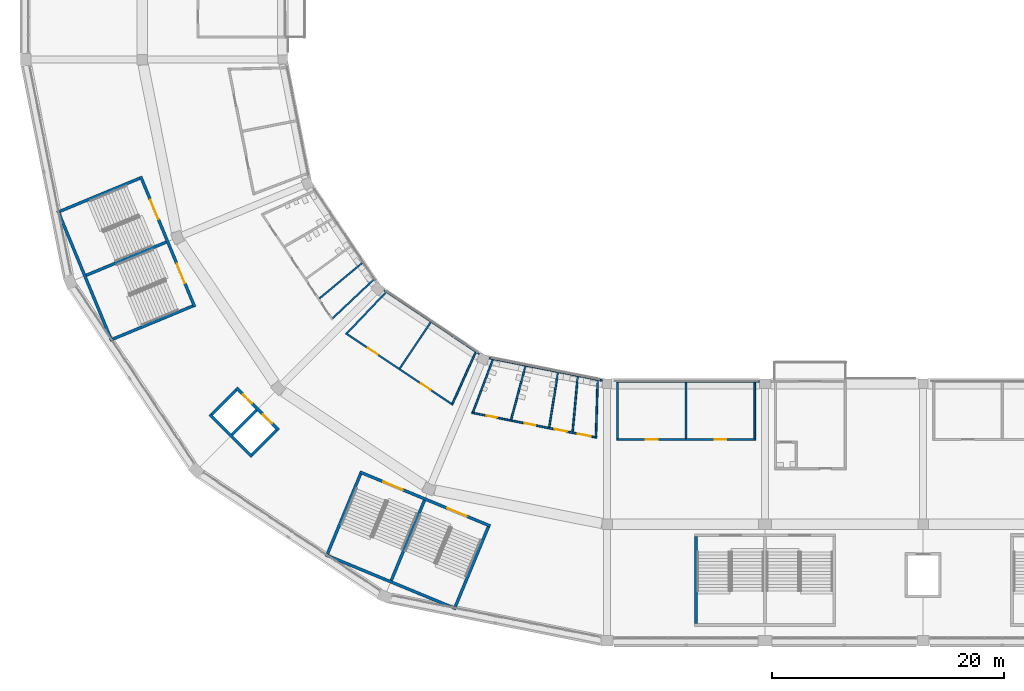
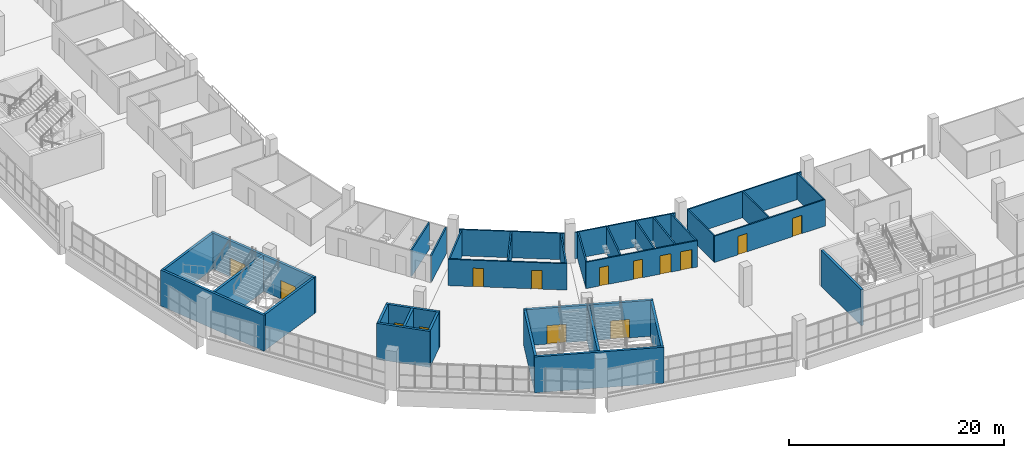
# One storey, part 73 of 199: 35 walls, 14 doors, 14 openings.
"""IFC4 building model written with IfcOpenShell, lengths in metres."""

from ifc_helpers import new_model, si_unit, direction, frame, frame_2d, origin, place, context, subcontext, project, spatial, rectangle, extrude, material, layer, layer_set, type_object, element, fill, save


model = new_model("IFC4")

# Units and contexts
model_context = context("Model", 3, precision=1e-05, world=origin(), true_north=direction((0.0, 1.0)))
body_context = subcontext(model_context, "Body", "Model", "MODEL_VIEW")
ifc_project = project(units=[si_unit("LENGTHUNIT", "METRE"), si_unit("AREAUNIT", "SQUARE_METRE"), si_unit("VOLUMEUNIT", "CUBIC_METRE"), si_unit("PLANEANGLEUNIT", "RADIAN"), si_unit("MASSUNIT", "GRAM", prefix="KILO")], contexts=[model_context])

# Site, building, storey
site_placement = place(None, origin())
site = spatial("IfcSite", under=ifc_project, at=site_placement, CompositionType="ELEMENT")
building_placement = place(site_placement, origin())
building = spatial("IfcBuilding", under=site, at=building_placement, Name="Ogive Plaza Stadium", CompositionType="ELEMENT")
storey_placement = place(building_placement, frame((0.0, 0.0, 9.0)))
storey = spatial("IfcBuildingStorey", under=building, at=storey_placement, Name="L02", CompositionType="ELEMENT", Elevation=9.0)

# Wall
ifc_material_1 = material(Name="Masonry blockwork", Category="masonry")
ifc_layer_1 = layer(ifc_material_1, 0.14990234375)
ifc_layer_set_1 = layer_set([ifc_layer_1], Name="Blockwork wall 150")
wall_type_1 = type_object("IfcWallType", Name="Blockwork wall 150", PredefinedType="SOLIDWALL", material=ifc_layer_set_1)
wall_1_placement = place(storey_placement, frame((-20.89990234375, -80.199951171875, 0.0), z_axis=(0.0, 0.0, 1.0), x_axis=(-1.0, 0.0, 0.0)))
element("IfcWall", 1, at=wall_1_placement, inside=storey, type_object=wall_type_1, Name="Wall L02 B16", PredefinedType="SOLIDWALL", context=body_context, shape_type="SweptSolid", body=[
    extrude(rectangle(XDim=12.275146484375, YDim=0.14990234375, at=frame_2d((6.1376953125, 0.0))), origin(), (0.0, 0.0, 1.0), 3.0),
])

# Wall, openings, doors
wall_2_placement = place(storey_placement, frame((-21.22509765625, -85.199951171875, 0.0), z_axis=(0.0, 0.0, 1.0), x_axis=(-1.0, 0.0, 0.0)))
wall_2 = element("IfcWall", 2, at=wall_2_placement, inside=storey, type_object=wall_type_1, Name="Wall L02 B16", PredefinedType="SOLIDWALL", context=body_context, shape_type="SweptSolid", body=[
    extrude(rectangle(XDim=11.949951171875, YDim=0.14990234375, at=frame_2d((5.97509765625, 0.0))), origin(), (0.0, 0.0, 1.0), 3.0),
])
opening_1_placement = place(wall_2_placement, frame((2.52490234375, 0.0, 0.0)))
opening_1 = element("IfcOpeningElement", 3, at=opening_1_placement, cuts=wall_2, Name="Opening D0665", PredefinedType="OPENING", context=body_context, shape_type="SweptSolid", body=[
    extrude(rectangle(XDim=1.0, YDim=2.10009765625, at=frame_2d((0.5, 1.050048828125))), frame((0.0, 0.074951171875, 0.0), z_axis=(0.0, -1.0, 0.0), x_axis=(1.0, 0.0, 0.0)), (0.0, 0.0, 1.0), 0.14990234375),
])
opening_2_placement = place(wall_2_placement, frame((8.425048828125, 0.0, 0.0)))
opening_2 = element("IfcOpeningElement", 4, at=opening_2_placement, cuts=wall_2, Name="Opening D0666", PredefinedType="OPENING", context=body_context, shape_type="SweptSolid", body=[
    extrude(rectangle(XDim=1.0, YDim=2.10009765625, at=frame_2d((0.5, 1.050048828125))), frame((0.0, 0.074951171875, 0.0), z_axis=(0.0, -1.0, 0.0), x_axis=(1.0, 0.0, 0.0)), (0.0, 0.0, 1.0), 0.14990234375),
])
ifc_material_2 = material(Name="Steel ASTM A572 Grade 50", Category="steel")
door_type_1 = type_object("IfcDoorType", Name="Fire door FD60 1000 x 2100", OperationType="SINGLE_SWING_LEFT", PredefinedType="DOOR", material=ifc_material_2)
door_1_placement = place(opening_1_placement, origin())
door_1 = element("IfcDoor", 5, at=door_1_placement, inside=storey, type_object=door_type_1, Name="Hospitality Pantry B16 door", OperationType="SINGLE_SWING_RIGHT", OverallHeight=2.10009765625, OverallWidth=1.0, PredefinedType="DOOR", context=body_context, shape_type="SweptSolid", body=[
    extrude(rectangle(XDim=1.0, YDim=2.10009765625, at=frame_2d((0.5, 1.050048828125))), frame((0.0, 0.02490234375, 0.0), z_axis=(0.0, -1.0, 0.0), x_axis=(1.0, 0.0, 0.0)), (0.0, 0.0, 1.0), 0.050048828125),
])
fill(opening_1, door_1)
door_2_placement = place(opening_2_placement, origin())
door_2 = element("IfcDoor", 6, at=door_2_placement, inside=storey, type_object=door_type_1, Name="Hospitality Store B16 door", OperationType="SINGLE_SWING_LEFT", OverallHeight=2.10009765625, OverallWidth=1.0, PredefinedType="DOOR", context=body_context, shape_type="SweptSolid", body=[
    extrude(rectangle(XDim=1.0, YDim=2.10009765625, at=frame_2d((0.5, 1.050048828125))), frame((0.0, 0.02490234375, 0.0), z_axis=(0.0, -1.0, 0.0), x_axis=(1.0, 0.0, 0.0)), (0.0, 0.0, 1.0), 0.050048828125),
])
fill(opening_2, door_2)

# Walls
for number, where, z_axis, x_axis, name in (
    (7, (-21.300048828125, -80.27490234375, 0.0), (0.0, 0.0, 1.0), (0.0, -1.0, 0.0), "Wall L02 B16"),
    (8, (-27.199951171875, -80.27490234375, 0.0), (0.0, 0.0, 1.0), (0.0, -1.0, 0.0), "Wall L02 B16"),
    (9, (-33.10009765625, -80.27490234375, 0.0), (0.0, 0.0, 1.0), (0.0, -1.0, 0.0), "Wall L02 B16"),
):
    element("IfcWall", number, at=place(storey_placement, frame(where, z_axis=z_axis, x_axis=x_axis)), inside=storey, type_object=wall_type_1, Name=name, PredefinedType="SOLIDWALL", context=body_context, shape_type="SweptSolid", body=[
        extrude(rectangle(XDim=4.85009765625, YDim=0.14990234375, at=frame_2d((2.425048828125, 0.0))), origin(), (0.0, 0.0, 1.0), 3.0),
    ])
wall_3_placement = place(storey_placement, frame((-44.98193359375, -77.836669921875, 0.0), z_axis=(0.0, 0.0, 1.0), x_axis=(-0.831461186136, 0.555582843463, 0.0)))
element("IfcWall", 10, at=wall_3_placement, inside=storey, type_object=wall_type_1, Name="Wall L02 B18", PredefinedType="SOLIDWALL", context=body_context, shape_type="SweptSolid", body=[
    extrude(rectangle(XDim=9.890380859375, YDim=0.14990234375, at=frame_2d((4.9453125, 0.0))), origin(), (0.0, 0.0, 1.0), 3.0),
])

# Wall, openings, doors
wall_4_placement = place(storey_placement, frame((-47.256591796875, -82.214599609375, 0.0), z_axis=(0.0, 0.0, 1.0), x_axis=(-0.831471162003, 0.555567913722, 0.0)))
wall_4 = element("IfcWall", 11, at=wall_4_placement, inside=storey, type_object=wall_type_1, Name="Wall L02 B18", PredefinedType="SOLIDWALL", context=body_context, shape_type="SweptSolid", body=[
    extrude(rectangle(XDim=11.09912109375, YDim=0.14990234375, at=frame_2d((5.549560546875, 0.0))), origin(), (0.0, 0.0, 1.0), 3.0),
])
opening_3_placement = place(wall_4_placement, frame((2.3154296875, 0.0, 0.0)))
opening_3 = element("IfcOpeningElement", 12, at=opening_3_placement, cuts=wall_4, Name="Opening D0671", PredefinedType="OPENING", context=body_context, shape_type="SweptSolid", body=[
    extrude(rectangle(XDim=1.0, YDim=2.10009765625, at=frame_2d((0.5, 1.050048828125))), frame((0.0, 0.074951171875, 0.0), z_axis=(0.0, -1.0, 0.0), x_axis=(1.0, 0.0, 0.0)), (0.0, 0.0, 1.0), 0.14990234375),
])
opening_4_placement = place(wall_4_placement, frame((7.78369140625, 0.0, 0.0)))
opening_4 = element("IfcOpeningElement", 13, at=opening_4_placement, cuts=wall_4, Name="Opening D0672", PredefinedType="OPENING", context=body_context, shape_type="SweptSolid", body=[
    extrude(rectangle(XDim=1.0, YDim=2.10009765625, at=frame_2d((0.5, 1.050048828125))), frame((0.0, 0.074951171875, 0.0), z_axis=(0.0, -1.0, 0.0), x_axis=(1.0, 0.0, 0.0)), (0.0, 0.0, 1.0), 0.14990234375),
])
door_3_placement = place(opening_3_placement, origin())
door_3 = element("IfcDoor", 14, at=door_3_placement, inside=storey, type_object=door_type_1, Name="Hospitality Pantry B18 door", OperationType="SINGLE_SWING_LEFT", OverallHeight=2.10009765625, OverallWidth=1.0, PredefinedType="DOOR", context=body_context, shape_type="SweptSolid", body=[
    extrude(rectangle(XDim=1.0, YDim=2.10009765625, at=frame_2d((0.5, 1.050048828125))), frame((0.0, 0.02490234375, 0.0), z_axis=(0.0, -1.0, 0.0), x_axis=(1.0, 0.0, 0.0)), (0.0, 0.0, 1.0), 0.050048828125),
])
fill(opening_3, door_3)
door_4_placement = place(opening_4_placement, origin())
door_4 = element("IfcDoor", 15, at=door_4_placement, inside=storey, type_object=door_type_1, Name="Hospitality Store B18 door", OperationType="SINGLE_SWING_RIGHT", OverallHeight=2.10009765625, OverallWidth=1.0, PredefinedType="DOOR", context=body_context, shape_type="SweptSolid", body=[
    extrude(rectangle(XDim=1.0, YDim=2.10009765625, at=frame_2d((0.5, 1.050048828125))), frame((0.0, 0.02490234375, 0.0), z_axis=(0.0, -1.0, 0.0), x_axis=(1.0, 0.0, 0.0)), (0.0, 0.0, 1.0), 0.050048828125),
])
fill(opening_4, door_4)

# Walls
wall_5_placement = place(storey_placement, frame((-45.3173828125, -77.700927734375, 0.0), z_axis=(0.0, 0.0, 1.0), x_axis=(-0.409657452305, -0.912239426779, 0.0)))
element("IfcWall", 16, at=wall_5_placement, inside=storey, type_object=wall_type_1, Name="Wall L02 B18", PredefinedType="SOLIDWALL", context=body_context, shape_type="SweptSolid", body=[
    extrude(rectangle(XDim=4.82373046875, YDim=0.14990234375, at=frame_2d((2.411865234375, 0.0))), origin(), (0.0, 0.0, 1.0), 3.0),
])
wall_6_placement = place(storey_placement, frame((-49.17919921875, -75.120361328125, 0.0), z_axis=(0.0, 0.0, 1.0), x_axis=(-0.557220399255, -0.830364634756, 0.0)))
element("IfcWall", 17, at=wall_6_placement, inside=storey, type_object=wall_type_1, Name="Wall L02 B18", PredefinedType="SOLIDWALL", context=body_context, shape_type="SweptSolid", body=[
    extrude(rectangle(XDim=4.7568359375, YDim=0.14990234375, at=frame_2d((2.37841796875, 0.0))), origin(), (0.0, 0.0, 1.0), 3.0),
])
wall_7_placement = place(storey_placement, frame((-53.041259765625, -72.5400390625, 0.0), z_axis=(0.0, 0.0, 1.0), x_axis=(-0.688819908774, -0.724932502566, 0.0)))
element("IfcWall", 18, at=wall_7_placement, inside=storey, type_object=wall_type_1, Name="Wall L02 B18", PredefinedType="SOLIDWALL", context=body_context, shape_type="SweptSolid", body=[
    extrude(rectangle(XDim=4.826904296875, YDim=0.14990234375, at=frame_2d((2.41357421875, 0.0))), origin(), (0.0, 0.0, 1.0), 3.0),
])
ifc_material_3 = material(Name="Concrete C40/50", Category="concrete")
ifc_layer_2 = layer(ifc_material_3, 0.25)
ifc_layer_set_2 = layer_set([ifc_layer_2], Name="Concrete C40/50")
wall_type_2 = type_object("IfcWallType", Name="Core wall 250", PredefinedType="SHEAR", material=ifc_layer_set_2)
wall_8_placement = place(storey_placement, frame((-26.35009765625, -93.550048828125, 0.0), z_axis=(0.0, 0.0, 1.0), x_axis=(0.0, -1.0, 0.0)))
element("IfcWall", 19, at=wall_8_placement, inside=storey, type_object=wall_type_2, Name="Stair core R16 side wall", PredefinedType="SHEAR", context=body_context, shape_type="SweptSolid", body=[
    extrude(rectangle(XDim=7.4599609375, YDim=0.25, at=frame_2d((3.72998046875, 0.0))), origin(), (0.0, 0.0, 1.0), 4.090087890625),
])

# Wall, openings, doors
wall_9_placement = place(storey_placement, frame((-55.27392578125, -87.98486328125, 0.0), z_axis=(0.0, 0.0, 1.0), x_axis=(0.923877480578, -0.382688386133, 0.0)))
wall_9 = element("IfcWall", 20, at=wall_9_placement, inside=storey, type_object=wall_type_2, Name="Stair core R18 inner wall", PredefinedType="SHEAR", context=body_context, shape_type="SweptSolid", body=[
    extrude(rectangle(XDim=12.14990234375, YDim=0.25, at=frame_2d((6.074951171875, 0.0))), origin(), (0.0, 0.0, 1.0), 4.090087890625),
])
opening_5_placement = place(wall_9_placement, frame((2.199951171875, 0.0, 0.0)))
opening_5 = element("IfcOpeningElement", 21, at=opening_5_placement, cuts=wall_9, Name="Opening D0149", PredefinedType="OPENING", context=body_context, shape_type="SweptSolid", body=[
    extrude(rectangle(XDim=1.800048828125, YDim=2.10009765625, at=frame_2d((0.89990234375, 1.050048828125))), frame((0.0, 0.125, 0.0), z_axis=(0.0, -1.0, 0.0), x_axis=(1.0, 0.0, 0.0)), (0.0, 0.0, 1.0), 0.25),
])
opening_6_placement = place(wall_9_placement, frame((8.14990234375, 0.0, 0.0)))
opening_6 = element("IfcOpeningElement", 22, at=opening_6_placement, cuts=wall_9, Name="Opening D0150", PredefinedType="OPENING", context=body_context, shape_type="SweptSolid", body=[
    extrude(rectangle(XDim=1.800048828125, YDim=2.10009765625, at=frame_2d((0.89990234375, 1.050048828125))), frame((0.0, 0.125, 0.0), z_axis=(0.0, -1.0, 0.0), x_axis=(1.0, 0.0, 0.0)), (0.0, 0.0, 1.0), 0.25),
])
ifc_material_4 = material(Name="Steel ASTM A572 Grade 50", Category="steel")
door_type_2 = type_object("IfcDoorType", Name="Fire door FD90 pair 1800 x 2100", OperationType="DOUBLE_DOOR_SINGLE_SWING", PredefinedType="DOOR", material=ifc_material_4)
door_5_placement = place(opening_5_placement, origin())
door_5 = element("IfcDoor", 23, at=door_5_placement, inside=storey, type_object=door_type_2, Name="Exit stair R18A door L02", OperationType="DOUBLE_DOOR_SINGLE_SWING", OverallHeight=2.10009765625, OverallWidth=1.800048828125, PredefinedType="DOOR", context=body_context, shape_type="SweptSolid", body=[
    extrude(rectangle(XDim=1.800048828125, YDim=2.10009765625, at=frame_2d((0.89990234375, 1.050048828125))), frame((0.0, 0.02490234375, 0.0), z_axis=(0.0, -1.0, 0.0), x_axis=(1.0, 0.0, 0.0)), (0.0, 0.0, 1.0), 0.050048828125),
])
fill(opening_5, door_5)
door_6_placement = place(opening_6_placement, origin())
door_6 = element("IfcDoor", 24, at=door_6_placement, inside=storey, type_object=door_type_2, Name="Exit stair R18B door L02", OperationType="DOUBLE_DOOR_SINGLE_SWING", OverallHeight=2.10009765625, OverallWidth=1.800048828125, PredefinedType="DOOR", context=body_context, shape_type="SweptSolid", body=[
    extrude(rectangle(XDim=1.800048828125, YDim=2.10009765625, at=frame_2d((0.89990234375, 1.050048828125))), frame((0.0, 0.02490234375, 0.0), z_axis=(0.0, -1.0, 0.0), x_axis=(1.0, 0.0, 0.0)), (0.0, 0.0, 1.0), 0.050048828125),
])
fill(opening_6, door_6)

# Walls
wall_10_placement = place(storey_placement, frame((-58.224365234375, -95.108154296875, 0.0), z_axis=(0.0, 0.0, 1.0), x_axis=(0.923884584817, -0.382671234792, 0.0)))
element("IfcWall", 25, at=wall_10_placement, inside=storey, type_object=wall_type_2, Name="Stair core R18 outer wall", PredefinedType="SHEAR", context=body_context, shape_type="SweptSolid", body=[
    extrude(rectangle(XDim=12.14990234375, YDim=0.25, at=frame_2d((6.074951171875, 0.0))), origin(), (0.0, 0.0, 1.0), 4.090087890625),
])
for number, where, z_axis, x_axis, name in (
    (26, (-55.206298828125, -88.148193359375, 0.0), (0.0, 0.0, 1.0), (-0.382664910245, -0.923887204407, 0.0), "Stair core R18 side wall"),
    (27, (-44.212158203125, -92.7021484375, 0.0), (0.0, 0.0, 1.0), (-0.382664910245, -0.923887204407, 0.0), "Stair core R18 side wall"),
):
    element("IfcWall", number, at=place(storey_placement, frame(where, z_axis=z_axis, x_axis=x_axis)), inside=storey, type_object=wall_type_2, Name=name, PredefinedType="SHEAR", context=body_context, shape_type="SweptSolid", body=[
        extrude(rectangle(XDim=7.460205078125, YDim=0.25, at=frame_2d((3.72998046875, 0.0))), origin(), (0.0, 0.0, 1.0), 4.090087890625),
    ])
wall_11_placement = place(storey_placement, frame((-49.709228515625, -90.42529296875, 0.0), z_axis=(0.0, 0.0, 1.0), x_axis=(-0.382676480483, -0.923882412044, 0.0)))
element("IfcWall", 28, at=wall_11_placement, inside=storey, type_object=wall_type_2, Name="Stair core R18 centre wall", PredefinedType="SHEAR", context=body_context, shape_type="SweptSolid", body=[
    extrude(rectangle(XDim=7.4599609375, YDim=0.25, at=frame_2d((3.72998046875, 0.0))), origin(), (0.0, 0.0, 1.0), 4.090087890625),
])

# Wall, openings, doors
wall_12_placement = place(storey_placement, frame((-74.134521484375, -62.548828125, 0.0), z_axis=(0.0, 0.0, 1.0), x_axis=(0.382688386133, -0.923877480578, 0.0)))
wall_12 = element("IfcWall", 29, at=wall_12_placement, inside=storey, type_object=wall_type_2, Name="Stair core R20 inner wall", PredefinedType="SHEAR", context=body_context, shape_type="SweptSolid", body=[
    extrude(rectangle(XDim=12.14990234375, YDim=0.25, at=frame_2d((6.074951171875, 0.0))), origin(), (0.0, 0.0, 1.0), 4.090087890625),
])
opening_7_placement = place(wall_12_placement, frame((2.199951171875, 0.0, 0.0)))
opening_7 = element("IfcOpeningElement", 30, at=opening_7_placement, cuts=wall_12, Name="Opening D0161", PredefinedType="OPENING", context=body_context, shape_type="SweptSolid", body=[
    extrude(rectangle(XDim=1.800048828125, YDim=2.10009765625, at=frame_2d((0.89990234375, 1.050048828125))), frame((0.0, 0.125, 0.0), z_axis=(0.0, -1.0, 0.0), x_axis=(1.0, 0.0, 0.0)), (0.0, 0.0, 1.0), 0.25),
])
opening_8_placement = place(wall_12_placement, frame((8.14990234375, 0.0, 0.0)))
opening_8 = element("IfcOpeningElement", 31, at=opening_8_placement, cuts=wall_12, Name="Opening D0162", PredefinedType="OPENING", context=body_context, shape_type="SweptSolid", body=[
    extrude(rectangle(XDim=1.800048828125, YDim=2.10009765625, at=frame_2d((0.89990234375, 1.050048828125))), frame((0.0, 0.125, 0.0), z_axis=(0.0, -1.0, 0.0), x_axis=(1.0, 0.0, 0.0)), (0.0, 0.0, 1.0), 0.25),
])
door_7_placement = place(opening_7_placement, origin())
door_7 = element("IfcDoor", 32, at=door_7_placement, inside=storey, type_object=door_type_2, Name="Exit stair R20A door L02", OperationType="DOUBLE_DOOR_SINGLE_SWING", OverallHeight=2.10009765625, OverallWidth=1.800048828125, PredefinedType="DOOR", context=body_context, shape_type="SweptSolid", body=[
    extrude(rectangle(XDim=1.800048828125, YDim=2.10009765625, at=frame_2d((0.89990234375, 1.050048828125))), frame((0.0, 0.02490234375, 0.0), z_axis=(0.0, -1.0, 0.0), x_axis=(1.0, 0.0, 0.0)), (0.0, 0.0, 1.0), 0.050048828125),
])
fill(opening_7, door_7)
door_8_placement = place(opening_8_placement, origin())
door_8 = element("IfcDoor", 33, at=door_8_placement, inside=storey, type_object=door_type_2, Name="Exit stair R20B door L02", OperationType="DOUBLE_DOOR_SINGLE_SWING", OverallHeight=2.10009765625, OverallWidth=1.800048828125, PredefinedType="DOOR", context=body_context, shape_type="SweptSolid", body=[
    extrude(rectangle(XDim=1.800048828125, YDim=2.10009765625, at=frame_2d((0.89990234375, 1.050048828125))), frame((0.0, 0.02490234375, 0.0), z_axis=(0.0, -1.0, 0.0), x_axis=(1.0, 0.0, 0.0)), (0.0, 0.0, 1.0), 0.050048828125),
])
fill(opening_8, door_8)

# Walls
wall_13_placement = place(storey_placement, frame((-81.257568359375, -65.499267578125, 0.0), z_axis=(0.0, 0.0, 1.0), x_axis=(0.382671234792, -0.923884584817, 0.0)))
element("IfcWall", 34, at=wall_13_placement, inside=storey, type_object=wall_type_2, Name="Stair core R20 outer wall", PredefinedType="SHEAR", context=body_context, shape_type="SweptSolid", body=[
    extrude(rectangle(XDim=12.14990234375, YDim=0.25, at=frame_2d((6.074951171875, 0.0))), origin(), (0.0, 0.0, 1.0), 4.090087890625),
])
for number, where, z_axis, x_axis, name in (
    (35, (-74.2021484375, -62.712158203125, 0.0), (0.0, 0.0, 1.0), (-0.923887204407, -0.382664910245, 0.0), "Stair core R20 side wall"),
    (36, (-69.648193359375, -73.706298828125, 0.0), (0.0, 0.0, 1.0), (-0.923887204407, -0.382664910245, 0.0), "Stair core R20 side wall"),
):
    element("IfcWall", number, at=place(storey_placement, frame(where, z_axis=z_axis, x_axis=x_axis)), inside=storey, type_object=wall_type_2, Name=name, PredefinedType="SHEAR", context=body_context, shape_type="SweptSolid", body=[
        extrude(rectangle(XDim=7.460205078125, YDim=0.25, at=frame_2d((3.72998046875, 0.0))), origin(), (0.0, 0.0, 1.0), 4.090087890625),
    ])
wall_14_placement = place(storey_placement, frame((-71.92529296875, -68.209228515625, 0.0), z_axis=(0.0, 0.0, 1.0), x_axis=(-0.923882412044, -0.382676480483, 0.0)))
element("IfcWall", 37, at=wall_14_placement, inside=storey, type_object=wall_type_2, Name="Stair core R20 centre wall", PredefinedType="SHEAR", context=body_context, shape_type="SweptSolid", body=[
    extrude(rectangle(XDim=7.4599609375, YDim=0.25, at=frame_2d((3.72998046875, 0.0))), origin(), (0.0, 0.0, 1.0), 4.090087890625),
])

# Wall, openings, doors
wall_15_placement = place(storey_placement, frame((-65.890625, -80.7490234375, 0.0), z_axis=(0.0, 0.0, 1.0), x_axis=(0.707106781187, -0.707106781187, 0.0)))
wall_15 = element("IfcWall", 38, at=wall_15_placement, inside=storey, type_object=wall_type_2, Name="Lift core LP19 landing wall", PredefinedType="SHEAR", context=body_context, shape_type="SweptSolid", body=[
    extrude(rectangle(XDim=5.14990234375, YDim=0.25, at=frame_2d((2.574951171875, 0.0))), origin(), (0.0, 0.0, 1.0), 4.090087890625),
])
opening_9_placement = place(wall_15_placement, frame((0.800048828125, 0.0, 0.0)))
opening_9 = element("IfcOpeningElement", 39, at=opening_9_placement, cuts=wall_15, Name="Opening LD048", PredefinedType="OPENING", context=body_context, shape_type="SweptSolid", body=[
    extrude(rectangle(XDim=1.10009765625, YDim=2.10009765625, at=frame_2d((0.550048828125, 1.050048828125))), frame((0.0, 0.125, 0.0), z_axis=(0.0, -1.0, 0.0), x_axis=(1.0, 0.0, 0.0)), (0.0, 0.0, 1.0), 0.25),
])
opening_10_placement = place(wall_15_placement, frame((3.25, 0.0, 0.0)))
opening_10 = element("IfcOpeningElement", 40, at=opening_10_placement, cuts=wall_15, Name="Opening LD049", PredefinedType="OPENING", context=body_context, shape_type="SweptSolid", body=[
    extrude(rectangle(XDim=1.10009765625, YDim=2.10009765625, at=frame_2d((0.550048828125, 1.050048828125))), frame((0.0, 0.125, 0.0), z_axis=(0.0, -1.0, 0.0), x_axis=(1.0, 0.0, 0.0)), (0.0, 0.0, 1.0), 0.25),
])
ifc_material_5 = material(Name="Steel ASTM A572 Grade 50", Category="steel")
door_type_3 = type_object("IfcDoorType", Name="Landing door 1100 x 2100", OperationType="SLIDING_TO_LEFT", PredefinedType="DOOR", material=ifc_material_5)
door_9_placement = place(opening_9_placement, origin())
door_9 = element("IfcDoor", 41, at=door_9_placement, inside=storey, type_object=door_type_3, Name="Lift landing door LP19 L02", OperationType="SLIDING_TO_LEFT", OverallHeight=2.10009765625, OverallWidth=1.10009765625, PredefinedType="DOOR", context=body_context, shape_type="SweptSolid", body=[
    extrude(rectangle(XDim=1.10009765625, YDim=2.10009765625, at=frame_2d((0.550048828125, 1.050048828125))), frame((0.0, 0.02490234375, 0.0), z_axis=(0.0, -1.0, 0.0), x_axis=(1.0, 0.0, 0.0)), (0.0, 0.0, 1.0), 0.050048828125),
])
fill(opening_9, door_9)
door_10_placement = place(opening_10_placement, origin())
door_10 = element("IfcDoor", 42, at=door_10_placement, inside=storey, type_object=door_type_3, Name="Lift landing door LP19 L02", OperationType="SLIDING_TO_LEFT", OverallHeight=2.10009765625, OverallWidth=1.10009765625, PredefinedType="DOOR", context=body_context, shape_type="SweptSolid", body=[
    extrude(rectangle(XDim=1.10009765625, YDim=2.10009765625, at=frame_2d((0.550048828125, 1.050048828125))), frame((0.0, 0.02490234375, 0.0), z_axis=(0.0, -1.0, 0.0), x_axis=(1.0, 0.0, 0.0)), (0.0, 0.0, 1.0), 0.050048828125),
])
fill(opening_10, door_10)

# Walls
wall_16_placement = place(storey_placement, frame((-68.188720703125, -83.047119140625, 0.0), z_axis=(0.0, 0.0, 1.0), x_axis=(0.707106781187, -0.707106781187, 0.0)))
element("IfcWall", 43, at=wall_16_placement, inside=storey, type_object=wall_type_2, Name="Lift core LP19 rear wall", PredefinedType="SHEAR", context=body_context, shape_type="SweptSolid", body=[
    extrude(rectangle(XDim=5.14990234375, YDim=0.25, at=frame_2d((2.574951171875, 0.0))), origin(), (0.0, 0.0, 1.0), 4.090087890625),
])
for number, where, z_axis, x_axis, name in (
    (44, (-65.890625, -80.92578125, 0.0), (0.0, 0.0, 1.0), (-0.707066087907, -0.707147472125, 0.0), "Lift core LP19 side wall"),
    (45, (-62.42578125, -84.390625, 0.0), (0.0, 0.0, 1.0), (-0.707147472125, -0.707066087907, 0.0), "Lift core LP19 side wall"),
):
    element("IfcWall", number, at=place(storey_placement, frame(where, z_axis=z_axis, x_axis=x_axis)), inside=storey, type_object=wall_type_2, Name=name, PredefinedType="SHEAR", context=body_context, shape_type="SweptSolid", body=[
        extrude(rectangle(XDim=2.999755859375, YDim=0.25, at=frame_2d((1.5, 0.0))), origin(), (0.0, 0.0, 1.0), 4.090087890625),
    ])
wall_17_placement = place(storey_placement, frame((-64.158203125, -82.658203125, 0.0), z_axis=(0.0, 0.0, 1.0), x_axis=(-0.707106781187, -0.707106781187, 0.0)))
element("IfcWall", 46, at=wall_17_placement, inside=storey, type_object=wall_type_2, Name="Lift core LP19 centre wall", PredefinedType="SHEAR", context=body_context, shape_type="SweptSolid", body=[
    extrude(rectangle(XDim=3.0, YDim=0.25, at=frame_2d((1.5, 0.0))), origin(), (0.0, 0.0, 1.0), 4.090087890625),
])
ifc_material_6 = material(Name="Gypsum board partition", Category="gypsum")
ifc_layer_3 = layer(ifc_material_6, 0.14990234375)
ifc_layer_set_3 = layer_set([ifc_layer_3], Name="Partition 150")
wall_type_3 = type_object("IfcWallType", Name="Partition 150", PredefinedType="PARTITIONING", material=ifc_layer_set_3)
wall_18_placement = place(storey_placement, frame((-44.150390625, -78.180908203125, 0.0), z_axis=(0.0, 0.0, 1.0), x_axis=(0.980786042223, -0.195086492048, 0.0)))
element("IfcWall", 47, at=wall_18_placement, inside=storey, type_object=wall_type_3, Name="Wall L02 B17", PredefinedType="PARTITIONING", context=body_context, shape_type="SweptSolid", body=[
    extrude(rectangle(XDim=9.94140625, YDim=0.14990234375, at=frame_2d((4.970703125, 0.0))), origin(), (0.0, 0.0, 1.0), 3.0),
])

# Wall, openings, doors
wall_19_placement = place(storey_placement, frame((-45.6376953125, -82.88525390625, 0.0), z_axis=(0.0, 0.0, 1.0), x_axis=(0.980788934186, -0.195071952313, 0.0)))
wall_19 = element("IfcWall", 48, at=wall_19_placement, inside=storey, type_object=wall_type_3, Name="Wall L02 B17", PredefinedType="PARTITIONING", context=body_context, shape_type="SweptSolid", body=[
    extrude(rectangle(XDim=10.97216796875, YDim=0.14990234375, at=frame_2d((5.486083984375, 0.0))), origin(), (0.0, 0.0, 1.0), 3.0),
])
opening_11_placement = place(wall_19_placement, frame((1.306640625, 0.0, 0.0)))
opening_11 = element("IfcOpeningElement", 49, at=opening_11_placement, cuts=wall_19, Name="Opening D0667", PredefinedType="OPENING", context=body_context, shape_type="SweptSolid", body=[
    extrude(rectangle(XDim=0.89990234375, YDim=2.10009765625, at=frame_2d((0.449951171875, 1.050048828125))), frame((0.0, 0.074951171875, 0.0), z_axis=(0.0, -1.0, 0.0), x_axis=(1.0, 0.0, 0.0)), (0.0, 0.0, 1.0), 0.14990234375),
])
opening_12_placement = place(wall_19_placement, frame((4.65771484375, 0.0, 0.0)))
opening_12 = element("IfcOpeningElement", 50, at=opening_12_placement, cuts=wall_19, Name="Opening D0668", PredefinedType="OPENING", context=body_context, shape_type="SweptSolid", body=[
    extrude(rectangle(XDim=0.89990234375, YDim=2.10009765625, at=frame_2d((0.449951171875, 1.050048828125))), frame((0.0, 0.074951171875, 0.0), z_axis=(0.0, -1.0, 0.0), x_axis=(1.0, 0.0, 0.0)), (0.0, 0.0, 1.0), 0.14990234375),
])
opening_13_placement = place(wall_19_placement, frame((7.26025390625, 0.0, 0.0)))
opening_13 = element("IfcOpeningElement", 51, at=opening_13_placement, cuts=wall_19, Name="Opening D0669", PredefinedType="OPENING", context=body_context, shape_type="SweptSolid", body=[
    extrude(rectangle(XDim=1.10009765625, YDim=2.10009765625, at=frame_2d((0.550048828125, 1.050048828125))), frame((0.0, 0.074951171875, 0.0), z_axis=(0.0, -1.0, 0.0), x_axis=(1.0, 0.0, 0.0)), (0.0, 0.0, 1.0), 0.14990234375),
])
opening_14_placement = place(wall_19_placement, frame((9.314208984375, 0.0, 0.0)))
opening_14 = element("IfcOpeningElement", 52, at=opening_14_placement, cuts=wall_19, Name="Opening D0670", PredefinedType="OPENING", context=body_context, shape_type="SweptSolid", body=[
    extrude(rectangle(XDim=1.10009765625, YDim=2.10009765625, at=frame_2d((0.550048828125, 1.050048828125))), frame((0.0, 0.074951171875, 0.0), z_axis=(0.0, -1.0, 0.0), x_axis=(1.0, 0.0, 0.0)), (0.0, 0.0, 1.0), 0.14990234375),
])
ifc_material_7 = material(Name="Steel ASTM A572 Grade 50", Category="steel")
door_type_4 = type_object("IfcDoorType", Name="Accessible door 1100 x 2100", OperationType="SINGLE_SWING_LEFT", PredefinedType="DOOR", material=ifc_material_7)
door_11_placement = place(opening_13_placement, origin())
door_11 = element("IfcDoor", 53, at=door_11_placement, inside=storey, type_object=door_type_4, Name="Accessible WC B17 door", OperationType="SINGLE_SWING_LEFT", OverallHeight=2.10009765625, OverallWidth=1.10009765625, PredefinedType="DOOR", context=body_context, shape_type="SweptSolid", body=[
    extrude(rectangle(XDim=1.10009765625, YDim=2.10009765625, at=frame_2d((0.550048828125, 1.050048828125))), frame((0.0, 0.02490234375, 0.0), z_axis=(0.0, -1.0, 0.0), x_axis=(1.0, 0.0, 0.0)), (0.0, 0.0, 1.0), 0.050048828125),
])
fill(opening_13, door_11)
door_12_placement = place(opening_14_placement, origin())
door_12 = element("IfcDoor", 54, at=door_12_placement, inside=storey, type_object=door_type_4, Name="Family WC B17 door", OperationType="SINGLE_SWING_LEFT", OverallHeight=2.10009765625, OverallWidth=1.10009765625, PredefinedType="DOOR", context=body_context, shape_type="SweptSolid", body=[
    extrude(rectangle(XDim=1.10009765625, YDim=2.10009765625, at=frame_2d((0.550048828125, 1.050048828125))), frame((0.0, 0.02490234375, 0.0), z_axis=(0.0, -1.0, 0.0), x_axis=(1.0, 0.0, 0.0)), (0.0, 0.0, 1.0), 0.050048828125),
])
fill(opening_14, door_12)
ifc_material_8 = material(Name="Steel ASTM A572 Grade 50", Category="steel")
door_type_5 = type_object("IfcDoorType", Name="Door 900 x 2100", OperationType="SINGLE_SWING_LEFT", PredefinedType="DOOR", material=ifc_material_8)
door_13_placement = place(opening_11_placement, origin())
door_13 = element("IfcDoor", 55, at=door_13_placement, inside=storey, type_object=door_type_5, Name="Men's Toilet B17 door", OperationType="SINGLE_SWING_RIGHT", OverallHeight=2.10009765625, OverallWidth=0.89990234375, PredefinedType="DOOR", context=body_context, shape_type="SweptSolid", body=[
    extrude(rectangle(XDim=0.89990234375, YDim=2.10009765625, at=frame_2d((0.449951171875, 1.050048828125))), frame((0.0, 0.02490234375, 0.0), z_axis=(0.0, -1.0, 0.0), x_axis=(1.0, 0.0, 0.0)), (0.0, 0.0, 1.0), 0.050048828125),
])
fill(opening_11, door_13)
door_14_placement = place(opening_12_placement, origin())
door_14 = element("IfcDoor", 56, at=door_14_placement, inside=storey, type_object=door_type_5, Name="Women's Toilet B17 door", OperationType="SINGLE_SWING_RIGHT", OverallHeight=2.10009765625, OverallWidth=0.89990234375, PredefinedType="DOOR", context=body_context, shape_type="SweptSolid", body=[
    extrude(rectangle(XDim=0.89990234375, YDim=2.10009765625, at=frame_2d((0.449951171875, 1.050048828125))), frame((0.0, 0.02490234375, 0.0), z_axis=(0.0, -1.0, 0.0), x_axis=(1.0, 0.0, 0.0)), (0.0, 0.0, 1.0), 0.050048828125),
])
fill(opening_12, door_14)

# Walls
wall_20_placement = place(storey_placement, frame((-43.817138671875, -78.322265625, 0.0), z_axis=(0.0, 0.0, 1.0), x_axis=(-0.35538492255, -0.934720041951, 0.0)))
element("IfcWall", 57, at=wall_20_placement, inside=storey, type_object=wall_type_3, Name="Wall L02 B17", PredefinedType="PARTITIONING", context=body_context, shape_type="SweptSolid", body=[
    extrude(rectangle(XDim=4.823974609375, YDim=0.14990234375, at=frame_2d((2.412109375, 0.0))), origin(), (0.0, 0.0, 1.0), 3.0),
])
wall_21_placement = place(storey_placement, frame((-41.025634765625, -78.87744140625, 0.0), z_axis=(0.0, 0.0, 1.0), x_axis=(-0.257378912157, -0.966310558556, 0.0)))
element("IfcWall", 58, at=wall_21_placement, inside=storey, type_object=wall_type_3, Name="Wall L02 B17", PredefinedType="PARTITIONING", context=body_context, shape_type="SweptSolid", body=[
    extrude(rectangle(XDim=4.7666015625, YDim=0.14990234375, at=frame_2d((2.38330078125, 0.0))), origin(), (0.0, 0.0, 1.0), 3.0),
])
wall_22_placement = place(storey_placement, frame((-38.23388671875, -79.432861328125, 0.0), z_axis=(0.0, 0.0, 1.0), x_axis=(-0.155285736325, -0.987869596705, 0.0)))
element("IfcWall", 59, at=wall_22_placement, inside=storey, type_object=wall_type_3, Name="Wall L02 B17", PredefinedType="PARTITIONING", context=body_context, shape_type="SweptSolid", body=[
    extrude(rectangle(XDim=4.7607421875, YDim=0.14990234375, at=frame_2d((2.38037109375, 0.0))), origin(), (0.0, 0.0, 1.0), 3.0),
])
wall_23_placement = place(storey_placement, frame((-36.52294921875, -79.773193359375, 0.0), z_axis=(0.0, 0.0, 1.0), x_axis=(-0.09208667632, -0.995750995, 0.0)))
element("IfcWall", 60, at=wall_23_placement, inside=storey, type_object=wall_type_3, Name="Wall L02 B17", PredefinedType="PARTITIONING", context=body_context, shape_type="SweptSolid", body=[
    extrude(rectangle(XDim=4.78271484375, YDim=0.14990234375, at=frame_2d((2.391357421875, 0.0))), origin(), (0.0, 0.0, 1.0), 3.0),
])
wall_24_placement = place(storey_placement, frame((-34.811767578125, -80.113525390625, 0.0), z_axis=(0.0, 0.0, 1.0), x_axis=(-0.029405000692, -0.999567579473, 0.0)))
element("IfcWall", 61, at=wall_24_placement, inside=storey, type_object=wall_type_3, Name="Wall L02 B17", PredefinedType="PARTITIONING", context=body_context, shape_type="SweptSolid", body=[
    extrude(rectangle(XDim=4.823974609375, YDim=0.14990234375, at=frame_2d((2.412109375, 0.0))), origin(), (0.0, 0.0, 1.0), 3.0),
])
wall_25_placement = place(storey_placement, frame((-55.069091796875, -70.001220703125, 0.0), z_axis=(0.0, 0.0, 1.0), x_axis=(-0.769237079492, -0.63896346964, 0.0)))
element("IfcWall", 62, at=wall_25_placement, inside=storey, type_object=wall_type_3, Name="Wall L02 B19", PredefinedType="PARTITIONING", context=body_context, shape_type="SweptSolid", body=[
    extrude(rectangle(XDim=4.78271484375, YDim=0.14990234375, at=frame_2d((2.391357421875, 0.0))), origin(), (0.0, 0.0, 1.0), 3.0),
])
wall_26_placement = place(storey_placement, frame((-54.099853515625, -71.45166015625, 0.0), z_axis=(0.0, 0.0, 1.0), x_axis=(-0.727577136184, -0.686025882093, 0.0)))
element("IfcWall", 63, at=wall_26_placement, inside=storey, type_object=wall_type_3, Name="Wall L02 B19", PredefinedType="PARTITIONING", context=body_context, shape_type="SweptSolid", body=[
    extrude(rectangle(XDim=4.823974609375, YDim=0.14990234375, at=frame_2d((2.412109375, 0.0))), origin(), (0.0, 0.0, 1.0), 3.0),
])

save(model, "model.ifc")
